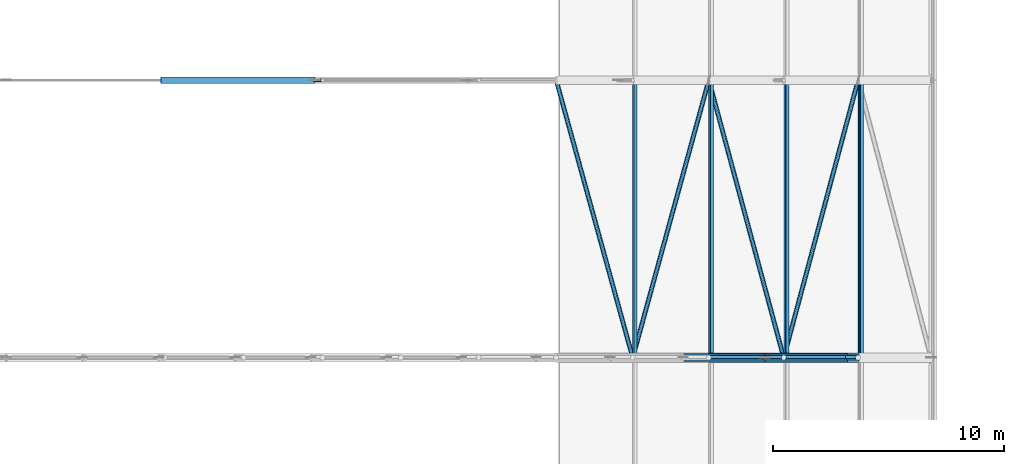
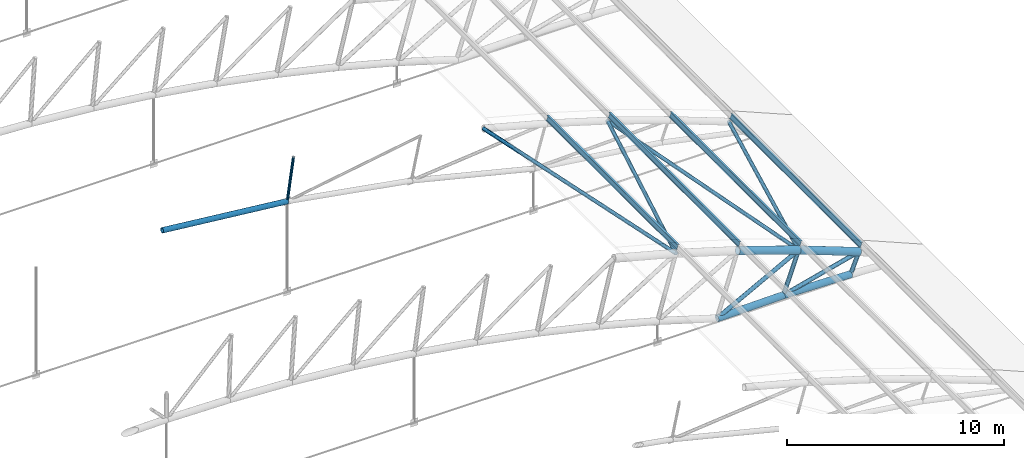
# One storey, part 187 of 321: 18 members.
"""IFC4 building model written with IfcOpenShell, lengths in metres."""

from ifc_helpers import new_model, si_unit, direction, frame, origin, origin_2d, place, context, subcontext, project, spatial, hollow_circle, i_section, extrude, material, material_profile, profile_set, type_object, element, save


model = new_model("IFC4")

# Units and contexts
model_context = context("Model", 3, precision=1e-05, world=origin(), true_north=direction((0.0, 1.0)))
body_context = subcontext(model_context, "Body", "Model", "MODEL_VIEW")
ifc_project = project(units=[si_unit("LENGTHUNIT", "METRE"), si_unit("AREAUNIT", "SQUARE_METRE"), si_unit("VOLUMEUNIT", "CUBIC_METRE"), si_unit("PLANEANGLEUNIT", "RADIAN"), si_unit("MASSUNIT", "GRAM", prefix="KILO")], contexts=[model_context])

# Site, building, storey
site_placement = place(None, origin())
site = spatial("IfcSite", under=ifc_project, at=site_placement, CompositionType="ELEMENT")
building_placement = place(site_placement, origin())
building = spatial("IfcBuilding", under=site, at=building_placement, Name="Ravi Spectrum Wholesale Market", CompositionType="ELEMENT")
storey_placement = place(building_placement, frame((0.0, 0.0, 10.800048828125)))
storey = spatial("IfcBuildingStorey", under=building, at=storey_placement, Name="L02", CompositionType="ELEMENT", Elevation=10.800048828125)

# Members
ifc_material_1 = material(Name="Steel S355", Category="steel")
ifc_material_profile_1 = material_profile(ifc_material_1, hollow_circle(Radius=0.06982421875, WallThickness=0.0048828125, at=origin_2d()))
ifc_profile_set_1 = profile_set([ifc_material_profile_1], Name="Steel S355")
member_type_1 = type_object("IfcMemberType", Name="CHS 139.7x5 post", PredefinedType="POST", material=ifc_profile_set_1)
member_1_placement = place(storey_placement, frame((83.681884765625, 162.0, 7.479736328125), z_axis=(-0.137532332315, 0.0, -0.990497277921), x_axis=(0.0, -1.0, 0.0)))
element("IfcMember", 1, at=member_1_placement, inside=storey, type_object=member_type_1, Name="H1-MB-L02-953", PredefinedType="POST", context=body_context, shape_type="SweptSolid", body=[
    extrude(hollow_circle(Radius=0.06982421875, WallThickness=0.0048828125, at=origin_2d()), origin(), (0.0, 0.0, 1.0), 2.39990234375),
])
ifc_material_2 = material(Name="Steel S355", Category="steel")
ifc_material_profile_2 = material_profile(ifc_material_2, hollow_circle(Radius=0.096923828125, WallThickness=0.00634765625, at=origin_2d()))
ifc_profile_set_2 = profile_set([ifc_material_profile_2], Name="Steel S355")
member_type_2 = type_object("IfcMemberType", Name="CHS 193.7x6.3 brace", PredefinedType="BRACE", material=ifc_profile_set_2)
for number, where, z_axis, x_axis, name in (
    (2, (93.786865234375, 162.0, 5.5390625), (0.265211760798, -0.961475768309, -0.072298470859), (0.963998512585, 0.265907630079, 0.0), "H1-MB-L02-1699"),
    (3, (97.096923828125, 150.0, 4.63671875), (0.263726012754, 0.961479081656, -0.077502036978), (-0.964379749157, 0.264521642622, 0.0), "H1-MB-L02-1700"),
    (4, (100.388427734375, 162.0, 3.66943359375), (0.259597548591, -0.961475300154, -0.0904121671), (0.965429280275, 0.260665120006, 0.0), "H1-MB-L02-1701"),
    (5, (103.62841796875, 150.0, 2.541015625), (0.257759532951, 0.961478072674, -0.095498371395), (-0.96589260156, 0.258943009659, 0.0), "H1-MB-L02-1702"),
):
    element("IfcMember", number, at=place(storey_placement, frame(where, z_axis=z_axis, x_axis=x_axis)), inside=storey, type_object=member_type_2, Name=name, PredefinedType="BRACE", context=body_context, shape_type="SweptSolid", body=[
        extrude(hollow_circle(Radius=0.096923828125, WallThickness=0.00634765625, at=origin_2d()), origin(), (0.0, 0.0, 1.0), 12.480712890625),
    ])
ifc_material_3 = material(Name="Steel S355", Category="steel")
ifc_material_profile_3 = material_profile(ifc_material_3, hollow_circle(Radius=0.109619140625, WallThickness=0.008056640625, at=origin_2d()))
ifc_profile_set_3 = profile_set([ifc_material_profile_3], Name="Steel S355")
member_type_3 = type_object("IfcMemberType", Name="CHS 219.1x8 brace", PredefinedType="BRACE", material=ifc_profile_set_3)
member_2_placement = place(storey_placement, frame((103.62841796875, 150.0, 2.541015625), z_axis=(-0.881933088563, 0.0, -0.471374614608), x_axis=(0.0, -1.0, 0.0)))
element("IfcMember", 6, at=member_2_placement, inside=storey, type_object=member_type_3, Name="H1-MB-L02-902", PredefinedType="BRACE", context=body_context, shape_type="SweptSolid", body=[
    extrude(hollow_circle(Radius=0.109619140625, WallThickness=0.008056640625, at=origin_2d()), origin(), (0.0, 0.0, 1.0), 4.9296875),
])
member_3_placement = place(storey_placement, frame((106.836181640625, 150.0, 1.325439453125), z_axis=(-0.967942387937, 0.0, -0.251172318609), x_axis=(0.0, -1.0, 0.0)))
element("IfcMember", 7, at=member_3_placement, inside=storey, type_object=member_type_3, Name="H1-MB-L02-903", PredefinedType="BRACE", context=body_context, shape_type="SweptSolid", body=[
    extrude(hollow_circle(Radius=0.109619140625, WallThickness=0.008056640625, at=origin_2d()), origin(), (0.0, 0.0, 1.0), 4.15234375),
])
ifc_material_4 = material(Name="Steel S355", Category="steel")
ifc_material_profile_4 = material_profile(ifc_material_4, hollow_circle(Radius=0.109619140625, WallThickness=0.008056640625, at=origin_2d()))
ifc_profile_set_4 = profile_set([ifc_material_profile_4], Name="Steel S355")
member_type_4 = type_object("IfcMemberType", Name="CHS 219.1x8 post", PredefinedType="POST", material=ifc_profile_set_4)
member_4_placement = place(storey_placement, frame((103.62841796875, 150.0, 2.541015625), z_axis=(-0.338146640483, 0.0, -0.941093432944), x_axis=(0.0, -1.0, 0.0)))
element("IfcMember", 8, at=member_4_placement, inside=storey, type_object=member_type_4, Name="H1-MB-L02-880", PredefinedType="POST", context=body_context, shape_type="SweptSolid", body=[
    extrude(hollow_circle(Radius=0.109619140625, WallThickness=0.008056640625, at=origin_2d()), origin(), (0.0, 0.0, 1.0), 2.39990234375),
])
member_5_placement = place(storey_placement, frame((106.836181640625, 150.0, 1.325439453125), z_axis=(-0.370513497528, 0.0, -0.928827081942), x_axis=(0.0, -1.0, 0.0)))
element("IfcMember", 9, at=member_5_placement, inside=storey, type_object=member_type_4, Name="H1-MB-L02-881", PredefinedType="POST", context=body_context, shape_type="SweptSolid", body=[
    extrude(hollow_circle(Radius=0.109619140625, WallThickness=0.008056640625, at=origin_2d()), origin(), (0.0, 0.0, 1.0), 1.199951171875),
])
ifc_material_5 = material(Name="Steel S355", Category="steel")
ifc_material_profile_5 = material_profile(ifc_material_5, hollow_circle(Radius=0.136474609375, WallThickness=0.010009765625, at=origin_2d()))
ifc_profile_set_5 = profile_set([ifc_material_profile_5], Name="Steel S355")
member_type_5 = type_object("IfcMemberType", Name="CHS 273x10 chord", PredefinedType="CHORD", material=ifc_profile_set_5)
member_6_placement = place(storey_placement, frame((76.69189453125, 162.0, 5.79443359375), z_axis=(0.994646786479, 0.0, -0.103333296414), x_axis=(0.0, 1.0, 0.0)))
element("IfcMember", 10, at=member_6_placement, inside=storey, type_object=member_type_5, Name="H1-MB-L02-941", PredefinedType="CHORD", context=body_context, shape_type="SweptSolid", body=[
    extrude(hollow_circle(Radius=0.136474609375, WallThickness=0.010009765625, at=origin_2d()), origin(), (0.0, 0.0, 1.0), 6.69580078125),
])
ifc_material_6 = material(Name="Steel S355", Category="steel")
ifc_material_profile_6 = material_profile(ifc_material_6, hollow_circle(Radius=0.177734375, WallThickness=0.012451171875, at=origin_2d()))
ifc_profile_set_6 = profile_set([ifc_material_profile_6], Name="Steel S355")
member_type_6 = type_object("IfcMemberType", Name="CHS 355.6x12.5 chord", PredefinedType="CHORD", material=ifc_profile_set_6)
member_7_placement = place(storey_placement, frame((99.28076171875, 150.0, 0.21728515625), z_axis=(0.999830134639, 0.0, 0.018431002896), x_axis=(0.0, 1.0, 0.0)))
element("IfcMember", 11, at=member_7_placement, inside=storey, type_object=member_type_6, Name="H1-MB-L02-856", PredefinedType="CHORD", context=body_context, shape_type="SweptSolid", body=[
    extrude(hollow_circle(Radius=0.177734375, WallThickness=0.012451171875, at=origin_2d()), origin(), (0.0, 0.0, 1.0), 3.53662109375),
])
member_8_placement = place(storey_placement, frame((102.81689453125, 150.0, 0.282470703125), z_axis=(0.999799841502, 0.0, -0.020006922112), x_axis=(0.0, 1.0, 0.0)))
element("IfcMember", 12, at=member_8_placement, inside=storey, type_object=member_type_6, Name="H1-MB-L02-857", PredefinedType="CHORD", context=body_context, shape_type="SweptSolid", body=[
    extrude(hollow_circle(Radius=0.177734375, WallThickness=0.012451171875, at=origin_2d()), origin(), (0.0, 0.0, 1.0), 3.575439453125),
])
ifc_material_7 = material(Name="Steel S355", Category="steel")
ifc_material_profile_7 = material_profile(ifc_material_7, hollow_circle(Radius=0.203125, WallThickness=0.01611328125, at=origin_2d()))
ifc_profile_set_7 = profile_set([ifc_material_profile_7], Name="Steel S355")
member_type_7 = type_object("IfcMemberType", Name="CHS 406.4x16 chord", PredefinedType="CHORD", material=ifc_profile_set_7)
for number, where, z_axis, x_axis, name in (
    (13, (100.380615234375, 150.0, 3.645263671875), (0.946773178626, 0.0, -0.321901457335), (0.0, 1.0, 0.0), "H1-MB-L02-832"),
    (14, (103.62841796875, 150.0, 2.541015625), (0.935109783896, 0.0, -0.354358140956), (0.0, 1.0, 0.0), "H1-MB-L02-833"),
):
    element("IfcMember", number, at=place(storey_placement, frame(where, z_axis=z_axis, x_axis=x_axis)), inside=storey, type_object=member_type_7, Name=name, PredefinedType="CHORD", context=body_context, shape_type="SweptSolid", body=[
        extrude(hollow_circle(Radius=0.203125, WallThickness=0.01611328125, at=origin_2d()), origin(), (0.0, 0.0, 1.0), 3.430419921875),
    ])
ifc_material_8 = material(Name="Steel S355", Category="steel")
ifc_material_profile_8 = material_profile(ifc_material_8, i_section(OverallWidth=0.135009765625, OverallDepth=0.27001953125, WebThickness=0.006591796875, FlangeThickness=0.01025390625, at=origin_2d()))
ifc_profile_set_8 = profile_set([ifc_material_profile_8], Name="Steel S355")
member_type_8 = type_object("IfcMemberType", Name="IPE 270 purlin", PredefinedType="PURLIN", material=ifc_profile_set_8)
for number, where, z_axis, x_axis, name in (
    (15, (97.18896484375, 150.0, 4.962158203125), (0.0, 1.0, 0.0), (-0.96215600485, 0.0, 0.272499215286), "H1-MB-L02-1504"),
    (16, (100.484130859375, 150.0, 3.96728515625), (0.0, 1.0, 0.0), (-0.952184497174, 0.0, 0.305523621577), "H1-MB-L02-1505"),
    (17, (103.74267578125, 150.0, 2.859375), (0.0, 1.0, 0.0), (-0.941079849597, 0.0, 0.338184441811), "H1-MB-L02-1506"),
    (18, (106.96142578125, 150.0, 1.6396484375), (0.0, 1.0, 0.0), (-0.928855283584, 0.0, 0.370442792017), "H1-MB-L02-1507"),
):
    element("IfcMember", number, at=place(storey_placement, frame(where, z_axis=z_axis, x_axis=x_axis)), inside=storey, type_object=member_type_8, Name=name, PredefinedType="PURLIN", context=body_context, shape_type="SweptSolid", body=[
        extrude(i_section(OverallWidth=0.135009765625, OverallDepth=0.27001953125, WebThickness=0.006591796875, FlangeThickness=0.01025390625, at=origin_2d()), origin(), (0.0, 0.0, 1.0), 12.0),
    ])

save(model, "model.ifc")
